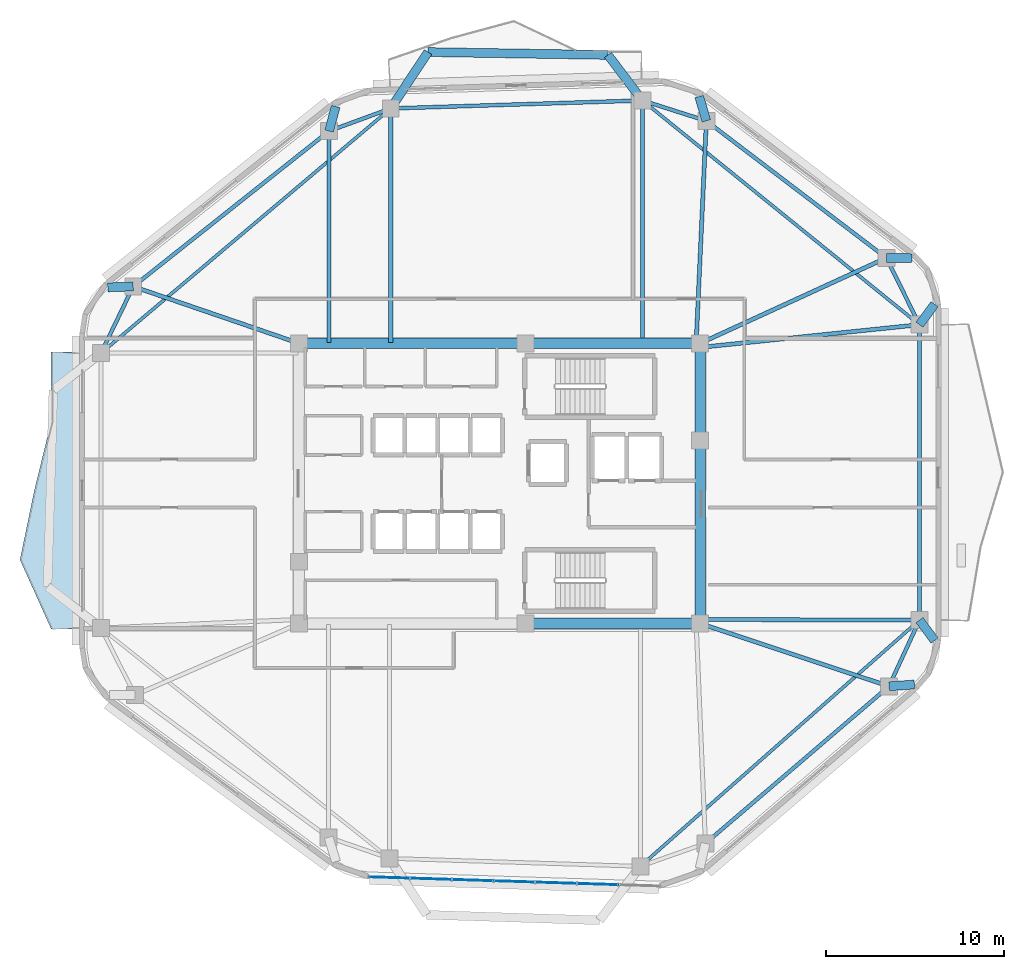
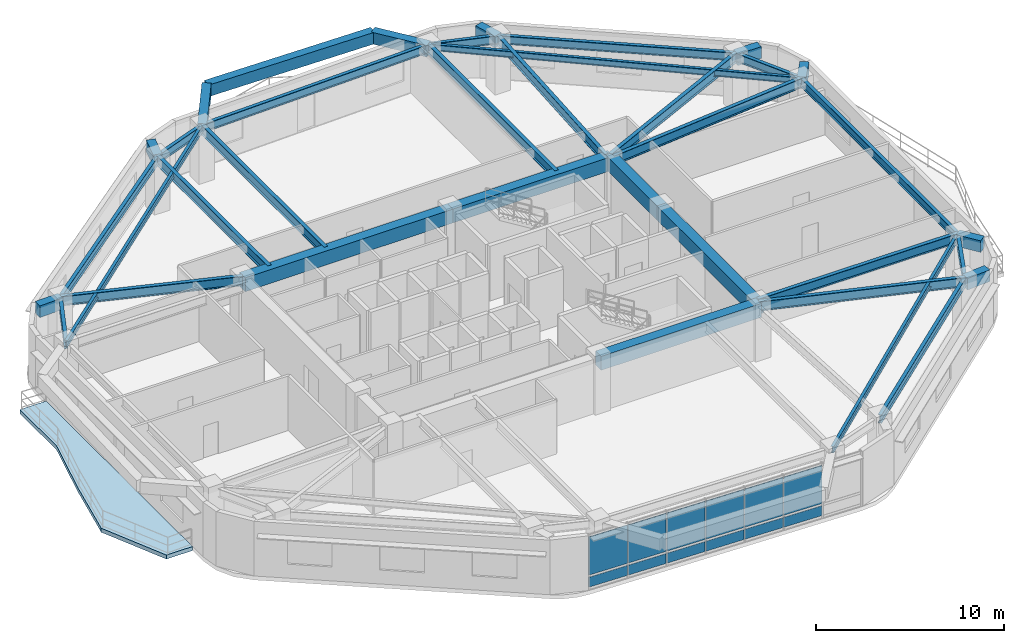
# One storey, part 6 of 12: 37 beams, 12 plates, 1 slab, 1 element without a shape of its own.
"""IFC4 building model written with IfcOpenShell, lengths in metres."""

from ifc_helpers import new_model, si_unit, direction, frame, origin, origin_2d, place, context, subcontext, project, spatial, polyline, rectangle, i_section, outline, extrude, material, layer, layer_set, material_profile, profile_set, type_object, element, aggregate, save


model = new_model("IFC4")

# Units and contexts
model_context = context("Model", 3, precision=1e-05, world=origin(), true_north=direction((0.0, 1.0)))
body_context = subcontext(model_context, "Body", "Model", "MODEL_VIEW")
ifc_project = project(units=[si_unit("LENGTHUNIT", "METRE"), si_unit("AREAUNIT", "SQUARE_METRE"), si_unit("VOLUMEUNIT", "CUBIC_METRE"), si_unit("PLANEANGLEUNIT", "RADIAN"), si_unit("MASSUNIT", "GRAM", prefix="KILO")], contexts=[model_context])

# Site, building, storey
site_placement = place(None, origin())
site = spatial("IfcSite", under=ifc_project, at=site_placement, CompositionType="ELEMENT")
building_placement = place(site_placement, origin())
building = spatial("IfcBuilding", under=site, at=building_placement, Name="Zulverin Broadcast Headquarters", CompositionType="ELEMENT")
storey_placement = place(building_placement, frame((0.0, 0.0, 185.800048828125)))
storey = spatial("IfcBuildingStorey", under=building, at=storey_placement, Name="L47", CompositionType="ELEMENT", Elevation=185.800048828125)

# Beams
ifc_material_1 = material(Name="Concrete C60/75", Category="concrete")
ifc_material_profile_1 = material_profile(ifc_material_1, rectangle(XDim=0.60009765625, YDim=0.89990234375, at=origin_2d()), Name="Concrete C60/75", Category="concrete")
ifc_profile_set_1 = profile_set([ifc_material_profile_1], Name="Concrete C60/75")
beam_type_1 = type_object("IfcBeamType", Name="BM-CB-600x900", PredefinedType="LINTEL", material=ifc_profile_set_1)
beam_1_placement = place(storey_placement, frame((38.449951171875, 17.324951171875, 3.08984375), z_axis=(1.0, 0.0, 0.0), x_axis=(0.0, 1.0, 0.0)))
element("IfcBeam", 1, at=beam_1_placement, inside=storey, type_object=beam_type_1, Name="L47 Core Coupling Girder K02-K03", PredefinedType="LINTEL", context=body_context, shape_type="SweptSolid", body=[
    extrude(rectangle(XDim=0.60009765625, YDim=0.89990234375, at=origin_2d()), origin(), (0.0, 0.0, 1.0), 9.824951171875),
])
beam_2_placement = place(storey_placement, frame((48.27490234375, 17.324951171875, 3.08984375), z_axis=(0.0, 1.0, 0.0), x_axis=(-1.0, 0.0, 0.0)))
element("IfcBeam", 2, at=beam_2_placement, inside=storey, type_object=beam_type_1, Name="L47 Core Coupling Girder K03-K04", PredefinedType="LINTEL", context=body_context, shape_type="SweptSolid", body=[
    extrude(rectangle(XDim=0.60009765625, YDim=0.89990234375, at=origin_2d()), origin(), (0.0, 0.0, 1.0), 10.295166015625),
])
beam_3_placement = place(storey_placement, frame((48.27490234375, 27.6201171875, 3.08984375), z_axis=(0.0, 1.0, 0.0), x_axis=(-1.0, 0.0, 0.0)))
element("IfcBeam", 3, at=beam_3_placement, inside=storey, type_object=beam_type_1, Name="L47 Core Coupling Girder K04-K05", PredefinedType="LINTEL", context=body_context, shape_type="SweptSolid", body=[
    extrude(rectangle(XDim=0.60009765625, YDim=0.89990234375, at=origin_2d()), origin(), (0.0, 0.0, 1.0), 5.454833984375),
])
beam_4_placement = place(storey_placement, frame((48.27490234375, 33.074951171875, 3.08984375), z_axis=(-1.0, 0.0, 0.0), x_axis=(0.0, -1.0, 0.0)))
element("IfcBeam", 4, at=beam_4_placement, inside=storey, type_object=beam_type_1, Name="L47 Core Coupling Girder K05-K06", PredefinedType="LINTEL", context=body_context, shape_type="SweptSolid", body=[
    extrude(rectangle(XDim=0.60009765625, YDim=0.89990234375, at=origin_2d()), origin(), (0.0, 0.0, 1.0), 9.824951171875),
])
beam_5_placement = place(storey_placement, frame((38.449951171875, 33.074951171875, 3.08984375), z_axis=(-1.0, 0.0, 0.0), x_axis=(0.0, -1.0, 0.0)))
element("IfcBeam", 5, at=beam_5_placement, inside=storey, type_object=beam_type_1, Name="L47 Core Coupling Girder K06-K07", PredefinedType="LINTEL", context=body_context, shape_type="SweptSolid", body=[
    extrude(rectangle(XDim=0.60009765625, YDim=0.89990234375, at=origin_2d()), origin(), (0.0, 0.0, 1.0), 12.724853515625),
])
ifc_material_2 = material(Name="Concrete C40/50", Category="concrete")
ifc_material_profile_2 = material_profile(ifc_material_2, rectangle(XDim=0.5, YDim=0.75, at=origin_2d()), Name="Concrete C40/50", Category="concrete")
ifc_profile_set_2 = profile_set([ifc_material_profile_2], Name="Concrete C40/50")
beam_type_2 = type_object("IfcBeamType", Name="BM-RC-500x750", PredefinedType="BEAM", material=ifc_profile_set_2)
beam_6_placement = place(storey_placement, frame((58.886962890625, 13.798095703125, 3.1650390625), z_axis=(0.997450894981, 0.071356233801, 0.0), x_axis=(-0.071356233801, 0.997450894981, 0.0)))
element("IfcBeam", 6, at=beam_6_placement, inside=storey, type_object=beam_type_2, Name="L48 Plate Overhang Back-Spanned Beam OVR-04", PredefinedType="BEAM", context=body_context, shape_type="SweptSolid", body=[
    extrude(rectangle(XDim=0.5, YDim=0.75, at=origin_2d()), origin(), (0.0, 0.0, 1.0), 1.43017578125),
])
for number, where, z_axis, x_axis, name in (
    (7, (60.60009765625, 17.519287109375, 3.1650390625), (0.594357454608, -0.80420097995, 0.0), (0.80420097995, 0.594357454608, 0.0), "L48 Plate Overhang Back-Spanned Beam OVR-05"),
    (8, (60.60009765625, 34.12158203125, 3.1650390625), (0.594357454608, 0.80420097995, 0.0), (-0.80420097995, 0.594357454608, 0.0), "L48 Plate Overhang Back-Spanned Beam OVR-06"),
):
    element("IfcBeam", number, at=place(storey_placement, frame(where, z_axis=z_axis, x_axis=x_axis)), inside=storey, type_object=beam_type_2, Name=name, PredefinedType="BEAM", context=body_context, shape_type="SweptSolid", body=[
        extrude(rectangle(XDim=0.5, YDim=0.75, at=origin_2d()), origin(), (0.0, 0.0, 1.0), 1.429931640625),
    ])
for number, where, z_axis, x_axis, name in (
    (9, (58.738037109375, 37.877685546875, 3.1650390625), (0.99990438472, -0.013828283279, 0.0), (0.013828283279, 0.99990438472, 0.0), "L48 Plate Overhang Back-Spanned Beam OVR-07"),
    (10, (48.62158203125, 45.574951171875, 3.1650390625), (-0.28015077605, 0.959956010804, 0.0), (-0.959956010804, -0.28015077605, 0.0), "L48 Plate Overhang Back-Spanned Beam OVR-08"),
    (11, (27.416259765625, 45.00439453125, 3.1650390625), (0.260328526912, 0.965520097189, 0.0), (-0.965520097189, 0.260328526912, 0.0), "L48 Plate Overhang Back-Spanned Beam OVR-11"),
):
    element("IfcBeam", number, at=place(storey_placement, frame(where, z_axis=z_axis, x_axis=x_axis)), inside=storey, type_object=beam_type_2, Name=name, PredefinedType="BEAM", context=body_context, shape_type="SweptSolid", body=[
        extrude(rectangle(XDim=0.5, YDim=0.75, at=origin_2d()), origin(), (0.0, 0.0, 1.0), 1.43017578125),
    ])
beam_7_placement = place(storey_placement, frame((16.40869140625, 36.26806640625, 3.1650390625), z_axis=(-0.999411057508, -0.034315275463, 0.0), x_axis=(0.034315275463, -0.999411057508, 0.0)))
element("IfcBeam", 12, at=beam_7_placement, inside=storey, type_object=beam_type_2, Name="L48 Plate Overhang Back-Spanned Beam OVR-12", PredefinedType="BEAM", context=body_context, shape_type="SweptSolid", body=[
    extrude(rectangle(XDim=0.5, YDim=0.75, at=origin_2d()), origin(), (0.0, 0.0, 1.0), 1.429931640625),
])
beam_8_placement = place(storey_placement, frame((45.027587890625, 46.7236328125, 3.1650390625), z_axis=(-0.60375228791, 0.797171985737, 0.0), x_axis=(-0.797171985737, -0.60375228791, 0.0)))
element("IfcBeam", 13, at=beam_8_placement, inside=storey, type_object=beam_type_2, Name="L48 Balcony Column-Framed Cantilever BAL_N-1", PredefinedType="BEAM", context=body_context, shape_type="SweptSolid", body=[
    extrude(rectangle(XDim=0.5, YDim=0.75, at=origin_2d()), origin(), (0.0, 0.0, 1.0), 3.211181640625),
])
beam_9_placement = place(storey_placement, frame((30.882080078125, 46.27490234375, 3.1650390625), z_axis=(0.551998960416, 0.833844798329, 0.0), x_axis=(-0.833844798329, 0.551998960416, 0.0)))
element("IfcBeam", 14, at=beam_9_placement, inside=storey, type_object=beam_type_2, Name="L48 Balcony Column-Framed Cantilever BAL_N-2", PredefinedType="BEAM", context=body_context, shape_type="SweptSolid", body=[
    extrude(rectangle(XDim=0.5, YDim=0.75, at=origin_2d()), origin(), (0.0, 0.0, 1.0), 3.800048828125),
])
beam_10_placement = place(storey_placement, frame((43.0888671875, 49.283447265625, 3.1650390625), z_axis=(-0.999874527542, 0.015840744079, 0.0), x_axis=(-0.015840744079, -0.999874527542, 0.0)))
element("IfcBeam", 15, at=beam_10_placement, inside=storey, type_object=beam_type_2, Name="L48 Balcony Outer Edge Trimmer Beam BAL_N", PredefinedType="BEAM", context=body_context, shape_type="SweptSolid", body=[
    extrude(rectangle(XDim=0.5, YDim=0.75, at=origin_2d()), origin(), (0.0, 0.0, 1.0), 10.1103515625),
])
ifc_material_3 = material(Name="Structural steel S355JR", Category="steel")
ifc_material_profile_3 = material_profile(ifc_material_3, i_section(OverallWidth=0.179443359375, OverallDepth=0.412841796875, WebThickness=0.009521484375, FlangeThickness=0.01611328125, at=origin_2d()), Name="Structural steel S355JR", Category="steel")
ifc_profile_set_3 = profile_set([ifc_material_profile_3], Name="Structural steel S355JR")
beam_type_3 = type_object("IfcBeamType", Name="BM-UB-406", PredefinedType="JOIST", material=ifc_profile_set_3)
beam_11_placement = place(storey_placement, frame((44.909912109375, 3.68017578125, 3.33349609375), z_axis=(0.74996043981, 0.661482682102, 0.0), x_axis=(-0.661482682102, 0.74996043981, 0.0)))
element("IfcBeam", 16, at=beam_11_placement, inside=storey, type_object=beam_type_3, Name="L47 Chordal Floor Joist J-01", PredefinedType="JOIST", context=body_context, shape_type="SweptSolid", body=[
    extrude(i_section(OverallWidth=0.179443359375, OverallDepth=0.412841796875, WebThickness=0.009521484375, FlangeThickness=0.01611328125, at=origin_2d()), origin(), (0.0, 0.0, 1.0), 20.92138671875),
])
beam_12_placement = place(storey_placement, frame((60.60009765625, 34.12158203125, 3.33349609375), z_axis=(-0.777349017335, 0.629069555175, 0.0), x_axis=(-0.629069555175, -0.777349017335, 0.0)))
element("IfcBeam", 17, at=beam_12_placement, inside=storey, type_object=beam_type_3, Name="L47 Chordal Floor Joist J-02", PredefinedType="JOIST", context=body_context, shape_type="SweptSolid", body=[
    extrude(i_section(OverallWidth=0.179443359375, OverallDepth=0.412841796875, WebThickness=0.009521484375, FlangeThickness=0.01611328125, at=origin_2d()), origin(), (0.0, 0.0, 1.0), 20.032958984375),
])
beam_13_placement = place(storey_placement, frame((30.882080078125, 46.27490234375, 3.33349609375), z_axis=(-0.763972566446, -0.645248725468, 0.0), x_axis=(0.645248725468, -0.763972566446, 0.0)))
element("IfcBeam", 18, at=beam_13_placement, inside=storey, type_object=beam_type_3, Name="L47 Chordal Floor Joist J-03", PredefinedType="JOIST", context=body_context, shape_type="SweptSolid", body=[
    extrude(i_section(OverallWidth=0.179443359375, OverallDepth=0.412841796875, WebThickness=0.009521484375, FlangeThickness=0.01611328125, at=origin_2d()), origin(), (0.0, 0.0, 1.0), 21.312255859375),
])
ifc_material_profile_4 = material_profile(ifc_material_3, i_section(OverallWidth=0.2119140625, OverallDepth=0.54443359375, WebThickness=0.0126953125, FlangeThickness=0.021240234375, at=origin_2d()), Name="Structural steel S355JR", Category="steel")
ifc_profile_set_4 = profile_set([ifc_material_profile_4], Name="Structural steel S355JR")
beam_type_4 = type_object("IfcBeamType", Name="BM-UB-533", PredefinedType="SPANDREL", material=ifc_profile_set_4)
beam_14_placement = place(storey_placement, frame((48.569580078125, 4.967041015625, 3.267578125), z_axis=(0.759708170965, 0.650264173217, 0.0), x_axis=(-0.650264173217, 0.759708170965, 0.0)))
element("IfcBeam", 19, at=beam_14_placement, inside=storey, type_object=beam_type_4, Name="L47 Perimeter Spandrel Beam SP-03", PredefinedType="SPANDREL", context=body_context, shape_type="SweptSolid", body=[
    extrude(i_section(OverallWidth=0.2119140625, OverallDepth=0.54443359375, WebThickness=0.0126953125, FlangeThickness=0.021240234375, at=origin_2d()), origin(), (0.0, 0.0, 1.0), 13.580810546875),
])
beam_15_placement = place(storey_placement, frame((58.886962890625, 13.798095703125, 3.267578125), z_axis=(0.418184975358, 0.90836189175, 0.0), x_axis=(-0.90836189175, 0.418184975358, 0.0)))
element("IfcBeam", 20, at=beam_15_placement, inside=storey, type_object=beam_type_4, Name="L47 Perimeter Spandrel Beam SP-04", PredefinedType="SPANDREL", context=body_context, shape_type="SweptSolid", body=[
    extrude(i_section(OverallWidth=0.2119140625, OverallDepth=0.54443359375, WebThickness=0.0126953125, FlangeThickness=0.021240234375, at=origin_2d()), origin(), (0.0, 0.0, 1.0), 4.0966796875),
])
beam_16_placement = place(storey_placement, frame((60.60009765625, 17.519287109375, 3.267578125), z_axis=(0.0, 1.0, 0.0), x_axis=(-1.0, 0.0, 0.0)))
element("IfcBeam", 21, at=beam_16_placement, inside=storey, type_object=beam_type_4, Name="L47 Perimeter Spandrel Beam SP-05", PredefinedType="SPANDREL", context=body_context, shape_type="SweptSolid", body=[
    extrude(i_section(OverallWidth=0.2119140625, OverallDepth=0.54443359375, WebThickness=0.0126953125, FlangeThickness=0.021240234375, at=origin_2d()), origin(), (0.0, 0.0, 1.0), 16.602294921875),
])
beam_17_placement = place(storey_placement, frame((60.60009765625, 34.12158203125, 3.267578125), z_axis=(-0.444159471033, 0.895947746407, 0.0), x_axis=(-0.895947746407, -0.444159471033, 0.0)))
element("IfcBeam", 22, at=beam_17_placement, inside=storey, type_object=beam_type_4, Name="L47 Perimeter Spandrel Beam SP-06", PredefinedType="SPANDREL", context=body_context, shape_type="SweptSolid", body=[
    extrude(i_section(OverallWidth=0.2119140625, OverallDepth=0.54443359375, WebThickness=0.0126953125, FlangeThickness=0.021240234375, at=origin_2d()), origin(), (0.0, 0.0, 1.0), 4.1923828125),
])
beam_18_placement = place(storey_placement, frame((58.738037109375, 37.877685546875, 3.267578125), z_axis=(-0.795830102505, 0.60551998146, 0.0), x_axis=(-0.60551998146, -0.795830102505, 0.0)))
element("IfcBeam", 23, at=beam_18_placement, inside=storey, type_object=beam_type_4, Name="L47 Perimeter Spandrel Beam SP-07", PredefinedType="SPANDREL", context=body_context, shape_type="SweptSolid", body=[
    extrude(i_section(OverallWidth=0.2119140625, OverallDepth=0.54443359375, WebThickness=0.0126953125, FlangeThickness=0.021240234375, at=origin_2d()), origin(), (0.0, 0.0, 1.0), 12.7119140625),
])
beam_19_placement = place(storey_placement, frame((48.62158203125, 45.574951171875, 3.267578125), z_axis=(-0.952531523781, 0.304439971428, 0.0), x_axis=(-0.304439971428, -0.952531523781, 0.0)))
element("IfcBeam", 24, at=beam_19_placement, inside=storey, type_object=beam_type_4, Name="L47 Perimeter Spandrel Beam SP-08", PredefinedType="SPANDREL", context=body_context, shape_type="SweptSolid", body=[
    extrude(i_section(OverallWidth=0.2119140625, OverallDepth=0.54443359375, WebThickness=0.0126953125, FlangeThickness=0.021240234375, at=origin_2d()), origin(), (0.0, 0.0, 1.0), 3.773193359375),
])
beam_20_placement = place(storey_placement, frame((45.027587890625, 46.7236328125, 3.267578125), z_axis=(-0.999497221833, -0.031706522156, 0.0), x_axis=(0.031706522156, -0.999497221833, 0.0)))
element("IfcBeam", 25, at=beam_20_placement, inside=storey, type_object=beam_type_4, Name="L47 Perimeter Spandrel Beam SP-09", PredefinedType="SPANDREL", context=body_context, shape_type="SweptSolid", body=[
    extrude(i_section(OverallWidth=0.2119140625, OverallDepth=0.54443359375, WebThickness=0.0126953125, FlangeThickness=0.021240234375, at=origin_2d()), origin(), (0.0, 0.0, 1.0), 14.152587890625),
])
beam_21_placement = place(storey_placement, frame((30.882080078125, 46.27490234375, 3.267578125), z_axis=(-0.938901965426, -0.344184687805, 0.0), x_axis=(0.344184687805, -0.938901965426, 0.0)))
element("IfcBeam", 26, at=beam_21_placement, inside=storey, type_object=beam_type_4, Name="L47 Perimeter Spandrel Beam SP-10", PredefinedType="SPANDREL", context=body_context, shape_type="SweptSolid", body=[
    extrude(i_section(OverallWidth=0.2119140625, OverallDepth=0.54443359375, WebThickness=0.0126953125, FlangeThickness=0.021240234375, at=origin_2d()), origin(), (0.0, 0.0, 1.0), 3.69140625),
])
beam_22_placement = place(storey_placement, frame((27.416259765625, 45.00439453125, 3.267578125), z_axis=(-0.783283263401, -0.621664965457, 0.0), x_axis=(0.621664965457, -0.783283263401, 0.0)))
element("IfcBeam", 27, at=beam_22_placement, inside=storey, type_object=beam_type_4, Name="L47 Perimeter Spandrel Beam SP-11", PredefinedType="SPANDREL", context=body_context, shape_type="SweptSolid", body=[
    extrude(i_section(OverallWidth=0.2119140625, OverallDepth=0.54443359375, WebThickness=0.0126953125, FlangeThickness=0.021240234375, at=origin_2d()), origin(), (0.0, 0.0, 1.0), 14.05322265625),
])
beam_23_placement = place(storey_placement, frame((16.40869140625, 36.26806640625, 3.267578125), z_axis=(-0.434890248034, -0.900483465792, 0.0), x_axis=(0.900483465792, -0.434890248034, 0.0)))
element("IfcBeam", 28, at=beam_23_placement, inside=storey, type_object=beam_type_4, Name="L47 Perimeter Spandrel Beam SP-12", PredefinedType="SPANDREL", context=body_context, shape_type="SweptSolid", body=[
    extrude(i_section(OverallWidth=0.2119140625, OverallDepth=0.54443359375, WebThickness=0.0126953125, FlangeThickness=0.021240234375, at=origin_2d()), origin(), (0.0, 0.0, 1.0), 4.15869140625),
])
ifc_material_profile_5 = material_profile(ifc_material_3, i_section(OverallWidth=0.230224609375, OverallDepth=0.6171875, WebThickness=0.01318359375, FlangeThickness=0.022216796875, at=origin_2d()), Name="Structural steel S355JR", Category="steel")
ifc_profile_set_5 = profile_set([ifc_material_profile_5], Name="Structural steel S355JR")
beam_type_5 = type_object("IfcBeamType", Name="BM-UB-610", PredefinedType="BEAM", material=ifc_profile_set_5)
beam_24_placement = place(storey_placement, frame((48.27490234375, 17.324951171875, 3.2314453125), z_axis=(0.948964552547, -0.315382748432, 0.0), x_axis=(0.315382748432, 0.948964552547, 0.0)))
element("IfcBeam", 29, at=beam_24_placement, inside=storey, type_object=beam_type_5, Name="L47 Radial Primary Floor Beam RB-04", PredefinedType="BEAM", context=body_context, shape_type="SweptSolid", body=[
    extrude(i_section(OverallWidth=0.230224609375, OverallDepth=0.6171875, WebThickness=0.01318359375, FlangeThickness=0.022216796875, at=origin_2d()), origin(), (0.0, 0.0, 1.0), 11.182861328125),
])
beam_25_placement = place(storey_placement, frame((48.324951171875, 17.550048828125, 3.2314453125), z_axis=(0.999996859956, -0.002506008559, 0.0), x_axis=(0.002506008559, 0.999996859956, 0.0)))
element("IfcBeam", 30, at=beam_25_placement, inside=storey, type_object=beam_type_5, Name="L47 Radial Primary Floor Beam RB-05", PredefinedType="BEAM", context=body_context, shape_type="SweptSolid", body=[
    extrude(i_section(OverallWidth=0.230224609375, OverallDepth=0.6171875, WebThickness=0.01318359375, FlangeThickness=0.022216796875, at=origin_2d()), origin(), (0.0, 0.0, 1.0), 12.275146484375),
])
beam_26_placement = place(storey_placement, frame((48.324951171875, 32.85009765625, 3.2314453125), z_axis=(0.994678169641, 0.103030766473, 0.0), x_axis=(-0.103030766473, 0.994678169641, 0.0)))
element("IfcBeam", 31, at=beam_26_placement, inside=storey, type_object=beam_type_5, Name="L47 Radial Primary Floor Beam RB-06", PredefinedType="BEAM", context=body_context, shape_type="SweptSolid", body=[
    extrude(i_section(OverallWidth=0.230224609375, OverallDepth=0.6171875, WebThickness=0.01318359375, FlangeThickness=0.022216796875, at=origin_2d()), origin(), (0.0, 0.0, 1.0), 12.3408203125),
])
beam_27_placement = place(storey_placement, frame((48.27490234375, 33.074951171875, 3.2314453125), z_axis=(0.90883007293, 0.417166511764, 0.0), x_axis=(-0.417166511764, 0.90883007293, 0.0)))
element("IfcBeam", 32, at=beam_27_placement, inside=storey, type_object=beam_type_5, Name="L47 Radial Primary Floor Beam RB-07", PredefinedType="BEAM", context=body_context, shape_type="SweptSolid", body=[
    extrude(i_section(OverallWidth=0.230224609375, OverallDepth=0.6171875, WebThickness=0.01318359375, FlangeThickness=0.022216796875, at=origin_2d()), origin(), (0.0, 0.0, 1.0), 11.5126953125),
])
beam_28_placement = place(storey_placement, frame((48.050048828125, 33.125, 3.2314453125), z_axis=(0.045858166026, 0.998947960911, 0.0), x_axis=(-0.998947960911, 0.045858166026, 0.0)))
element("IfcBeam", 33, at=beam_28_placement, inside=storey, type_object=beam_type_5, Name="L47 Radial Primary Floor Beam RB-08", PredefinedType="BEAM", context=body_context, shape_type="SweptSolid", body=[
    extrude(i_section(OverallWidth=0.230224609375, OverallDepth=0.6171875, WebThickness=0.01318359375, FlangeThickness=0.022216796875, at=origin_2d()), origin(), (0.0, 0.0, 1.0), 12.463134765625),
])
beam_29_placement = place(storey_placement, frame((45.027587890625, 33.125, 3.2314453125), z_axis=(0.0, 1.0, 0.0), x_axis=(-1.0, 0.0, 0.0)))
element("IfcBeam", 34, at=beam_29_placement, inside=storey, type_object=beam_type_5, Name="L47 Radial Primary Floor Beam RB-09", PredefinedType="BEAM", context=body_context, shape_type="SweptSolid", body=[
    extrude(i_section(OverallWidth=0.230224609375, OverallDepth=0.6171875, WebThickness=0.01318359375, FlangeThickness=0.022216796875, at=origin_2d()), origin(), (0.0, 0.0, 1.0), 13.5986328125),
])
beam_30_placement = place(storey_placement, frame((30.882080078125, 33.125, 3.2314453125), z_axis=(0.0, 1.0, 0.0), x_axis=(-1.0, 0.0, 0.0)))
element("IfcBeam", 35, at=beam_30_placement, inside=storey, type_object=beam_type_5, Name="L47 Radial Primary Floor Beam RB-10", PredefinedType="BEAM", context=body_context, shape_type="SweptSolid", body=[
    extrude(i_section(OverallWidth=0.230224609375, OverallDepth=0.6171875, WebThickness=0.01318359375, FlangeThickness=0.022216796875, at=origin_2d()), origin(), (0.0, 0.0, 1.0), 13.14990234375),
])
beam_31_placement = place(storey_placement, frame((27.416259765625, 33.125, 3.2314453125), z_axis=(0.0, 1.0, 0.0), x_axis=(-1.0, 0.0, 0.0)))
element("IfcBeam", 36, at=beam_31_placement, inside=storey, type_object=beam_type_5, Name="L47 Radial Primary Floor Beam RB-11", PredefinedType="BEAM", context=body_context, shape_type="SweptSolid", body=[
    extrude(i_section(OverallWidth=0.230224609375, OverallDepth=0.6171875, WebThickness=0.01318359375, FlangeThickness=0.022216796875, at=origin_2d()), origin(), (0.0, 0.0, 1.0), 11.87939453125),
])
beam_32_placement = place(storey_placement, frame((25.72509765625, 33.074951171875, 3.2314453125), z_axis=(-0.945979621685, 0.324226086793, 0.0), x_axis=(-0.324226086793, -0.945979621685, 0.0)))
element("IfcBeam", 37, at=beam_32_placement, inside=storey, type_object=beam_type_5, Name="L47 Radial Primary Floor Beam RB-12", PredefinedType="BEAM", context=body_context, shape_type="SweptSolid", body=[
    extrude(i_section(OverallWidth=0.230224609375, OverallDepth=0.6171875, WebThickness=0.01318359375, FlangeThickness=0.022216796875, at=origin_2d()), origin(), (0.0, 0.0, 1.0), 9.848388671875),
])

# Curtain wall, plates
ifc_material_4 = material(Name="Waist wind-pressure unitised curtain wall", Category="aluminium")
curtain_wall_type = type_object("IfcCurtainWallType", Name="CW-TWR-WST", PredefinedType="USERDEFINED", material=ifc_material_4)
curtain_wall_placement = place(storey_placement, origin())
curtain_wall = element("IfcCurtainWall", 38, at=curtain_wall_placement, inside=storey, type_object=curtain_wall_type, Name="L47 Unitised Curtain Wall CW-L47-E1", ObjectType="UNITISED CURTAIN WALL", PredefinedType="USERDEFINED")
ifc_material_5 = material(Name="Low-E double-glazed pale-silver vision glass", Category="glass")
ifc_layer_1 = layer(ifc_material_5, 0.035888671875, Name="Low-E double-glazed pale-silver vision glass", Category="glass")
ifc_layer_set_1 = layer_set([ifc_layer_1], Name="Low-E double-glazed pale-silver vision glass")
plate_type_1 = type_object("IfcPlateType", Name="CW-PNL-GLZ", PredefinedType="CURTAIN_PANEL", material=ifc_layer_set_1)
plate_1_placement = place(storey_placement, frame((30.79638671875, 3.04736328125, 0.91455078125), z_axis=(0.0, 0.0, 1.0), x_axis=(0.999497141269, -0.031709061709, 0.0)))
plate_1 = element("IfcPlate", 39, at=plate_1_placement, type_object=plate_type_1, Name="CW-L47-E1 Vision Panel 00", PredefinedType="CURTAIN_PANEL", context=body_context, shape_type="SweptSolid", body=[
    extrude(rectangle(XDim=2.303955078125, YDim=0.035888671875, at=origin_2d()), origin(), (0.0, 0.0, 1.0), 2.4853515625),
])
plate_2_placement = place(storey_placement, frame((33.13916015625, 2.972900390625, 0.91455078125), z_axis=(0.0, 0.0, 1.0), x_axis=(0.999497141269, -0.031709061709, 0.0)))
plate_2 = element("IfcPlate", 40, at=plate_2_placement, type_object=plate_type_1, Name="CW-L47-E1 Vision Panel 01", PredefinedType="CURTAIN_PANEL", context=body_context, shape_type="SweptSolid", body=[
    extrude(rectangle(XDim=2.303955078125, YDim=0.035888671875, at=origin_2d()), origin(), (0.0, 0.0, 1.0), 2.4853515625),
])
plate_3_placement = place(storey_placement, frame((35.48193359375, 2.898681640625, 0.91455078125), z_axis=(0.0, 0.0, 1.0), x_axis=(0.999497141269, -0.031709061709, 0.0)))
plate_3 = element("IfcPlate", 41, at=plate_3_placement, type_object=plate_type_1, Name="CW-L47-E1 Vision Panel 02", PredefinedType="CURTAIN_PANEL", context=body_context, shape_type="SweptSolid", body=[
    extrude(rectangle(XDim=2.303955078125, YDim=0.035888671875, at=origin_2d()), origin(), (0.0, 0.0, 1.0), 2.4853515625),
])
plate_4_placement = place(storey_placement, frame((37.824951171875, 2.824462890625, 0.91455078125), z_axis=(0.0, 0.0, 1.0), x_axis=(0.999497141269, -0.031709061709, 0.0)))
plate_4 = element("IfcPlate", 42, at=plate_4_placement, type_object=plate_type_1, Name="CW-L47-E1 Vision Panel 03", PredefinedType="CURTAIN_PANEL", context=body_context, shape_type="SweptSolid", body=[
    extrude(rectangle(XDim=2.303955078125, YDim=0.035888671875, at=origin_2d()), origin(), (0.0, 0.0, 1.0), 2.4853515625),
])
plate_5_placement = place(storey_placement, frame((40.167724609375, 2.75, 0.91455078125), z_axis=(0.0, 0.0, 1.0), x_axis=(0.999497141269, -0.031709061709, 0.0)))
plate_5 = element("IfcPlate", 43, at=plate_5_placement, type_object=plate_type_1, Name="CW-L47-E1 Vision Panel 04", PredefinedType="CURTAIN_PANEL", context=body_context, shape_type="SweptSolid", body=[
    extrude(rectangle(XDim=2.303955078125, YDim=0.035888671875, at=origin_2d()), origin(), (0.0, 0.0, 1.0), 2.4853515625),
])
plate_6_placement = place(storey_placement, frame((42.510498046875, 2.67578125, 0.91455078125), z_axis=(0.0, 0.0, 1.0), x_axis=(0.999497141269, -0.031709061709, 0.0)))
plate_6 = element("IfcPlate", 44, at=plate_6_placement, type_object=plate_type_1, Name="CW-L47-E1 Vision Panel 05", PredefinedType="CURTAIN_PANEL", context=body_context, shape_type="SweptSolid", body=[
    extrude(rectangle(XDim=2.303955078125, YDim=0.035888671875, at=origin_2d()), origin(), (0.0, 0.0, 1.0), 2.4853515625),
])
ifc_material_6 = material(Name="Insulated brushed pale-aluminium spandrel cassette", Category="aluminium")
ifc_layer_2 = layer(ifc_material_6, 0.050048828125, Name="Insulated brushed pale-aluminium spandrel cassette", Category="aluminium")
ifc_layer_set_2 = layer_set([ifc_layer_2], Name="Insulated brushed pale-aluminium spandrel cassette")
plate_type_2 = type_object("IfcPlateType", Name="CW-PNL-SPN", PredefinedType="CURTAIN_PANEL", material=ifc_layer_set_2)
plate_7_placement = place(storey_placement, frame((30.79638671875, 3.04736328125, 0.139892578125), z_axis=(0.0, 0.0, 1.0), x_axis=(0.999497141269, -0.031709061709, 0.0)))
plate_7 = element("IfcPlate", 45, at=plate_7_placement, type_object=plate_type_2, Name="CW-L47-E1 Spandrel Cassette 00", PredefinedType="CURTAIN_PANEL", context=body_context, shape_type="SweptSolid", body=[
    extrude(rectangle(XDim=2.303955078125, YDim=0.050048828125, at=origin_2d()), origin(), (0.0, 0.0, 1.0), 0.64453125),
])
plate_8_placement = place(storey_placement, frame((33.13916015625, 2.972900390625, 0.139892578125), z_axis=(0.0, 0.0, 1.0), x_axis=(0.999497141269, -0.031709061709, 0.0)))
plate_8 = element("IfcPlate", 46, at=plate_8_placement, type_object=plate_type_2, Name="CW-L47-E1 Spandrel Cassette 01", PredefinedType="CURTAIN_PANEL", context=body_context, shape_type="SweptSolid", body=[
    extrude(rectangle(XDim=2.303955078125, YDim=0.050048828125, at=origin_2d()), origin(), (0.0, 0.0, 1.0), 0.64453125),
])
plate_9_placement = place(storey_placement, frame((35.48193359375, 2.898681640625, 0.139892578125), z_axis=(0.0, 0.0, 1.0), x_axis=(0.999497141269, -0.031709061709, 0.0)))
plate_9 = element("IfcPlate", 47, at=plate_9_placement, type_object=plate_type_2, Name="CW-L47-E1 Spandrel Cassette 02", PredefinedType="CURTAIN_PANEL", context=body_context, shape_type="SweptSolid", body=[
    extrude(rectangle(XDim=2.303955078125, YDim=0.050048828125, at=origin_2d()), origin(), (0.0, 0.0, 1.0), 0.64453125),
])
plate_10_placement = place(storey_placement, frame((37.824951171875, 2.824462890625, 0.139892578125), z_axis=(0.0, 0.0, 1.0), x_axis=(0.999497141269, -0.031709061709, 0.0)))
plate_10 = element("IfcPlate", 48, at=plate_10_placement, type_object=plate_type_2, Name="CW-L47-E1 Spandrel Cassette 03", PredefinedType="CURTAIN_PANEL", context=body_context, shape_type="SweptSolid", body=[
    extrude(rectangle(XDim=2.303955078125, YDim=0.050048828125, at=origin_2d()), origin(), (0.0, 0.0, 1.0), 0.64453125),
])
plate_11_placement = place(storey_placement, frame((40.167724609375, 2.75, 0.139892578125), z_axis=(0.0, 0.0, 1.0), x_axis=(0.999497141269, -0.031709061709, 0.0)))
plate_11 = element("IfcPlate", 49, at=plate_11_placement, type_object=plate_type_2, Name="CW-L47-E1 Spandrel Cassette 04", PredefinedType="CURTAIN_PANEL", context=body_context, shape_type="SweptSolid", body=[
    extrude(rectangle(XDim=2.303955078125, YDim=0.050048828125, at=origin_2d()), origin(), (0.0, 0.0, 1.0), 0.64453125),
])
plate_12_placement = place(storey_placement, frame((42.510498046875, 2.67578125, 0.139892578125), z_axis=(0.0, 0.0, 1.0), x_axis=(0.999497141269, -0.031709061709, 0.0)))
plate_12 = element("IfcPlate", 50, at=plate_12_placement, type_object=plate_type_2, Name="CW-L47-E1 Spandrel Cassette 05", PredefinedType="CURTAIN_PANEL", context=body_context, shape_type="SweptSolid", body=[
    extrude(rectangle(XDim=2.303955078125, YDim=0.050048828125, at=origin_2d()), origin(), (0.0, 0.0, 1.0), 0.64453125),
])
aggregate(curtain_wall, [plate_7, plate_1, plate_8, plate_2, plate_9, plate_3, plate_10, plate_4, plate_11, plate_5, plate_12, plate_6])

# Slab
ifc_layer_3 = layer(ifc_material_2, 0.260009765625, Name="Concrete C40/50", Category="concrete")
ifc_layer_set_3 = layer_set([ifc_layer_3], Name="Concrete C40/50")
slab_type = type_object("IfcSlabType", Name="SLB-BAL-260", PredefinedType="FLOOR", material=ifc_layer_set_3)
slab_placement = place(storey_placement, frame((0.0, 0.0, -0.260009765625)))
element("IfcSlab", 51, at=slab_placement, inside=storey, type_object=slab_type, Name="L47 Cantilevered Planted Balcony Slab BAL_W", PredefinedType="FLOOR", context=body_context, shape_type="SweptSolid", body=[
    extrude(outline(polyline([(13.39990234375, 17.02197265625), (13.39990234375, 32.5732421875), (11.800048828125, 32.5732421875), (11.800048828125, 28.685302734375), (10.8505859375, 24.797607421875), (10.0458984375, 20.90966796875), (11.800048828125, 17.02197265625), (13.39990234375, 17.02197265625)])), origin(), (0.0, 0.0, 1.0), 0.260009765625),
])

save(model, "model.ifc")
